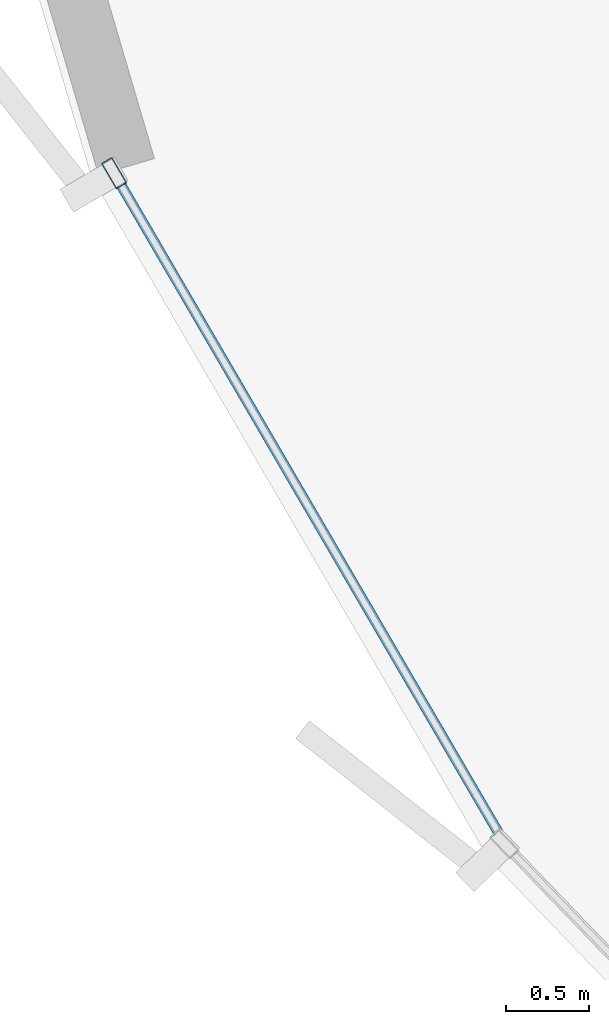
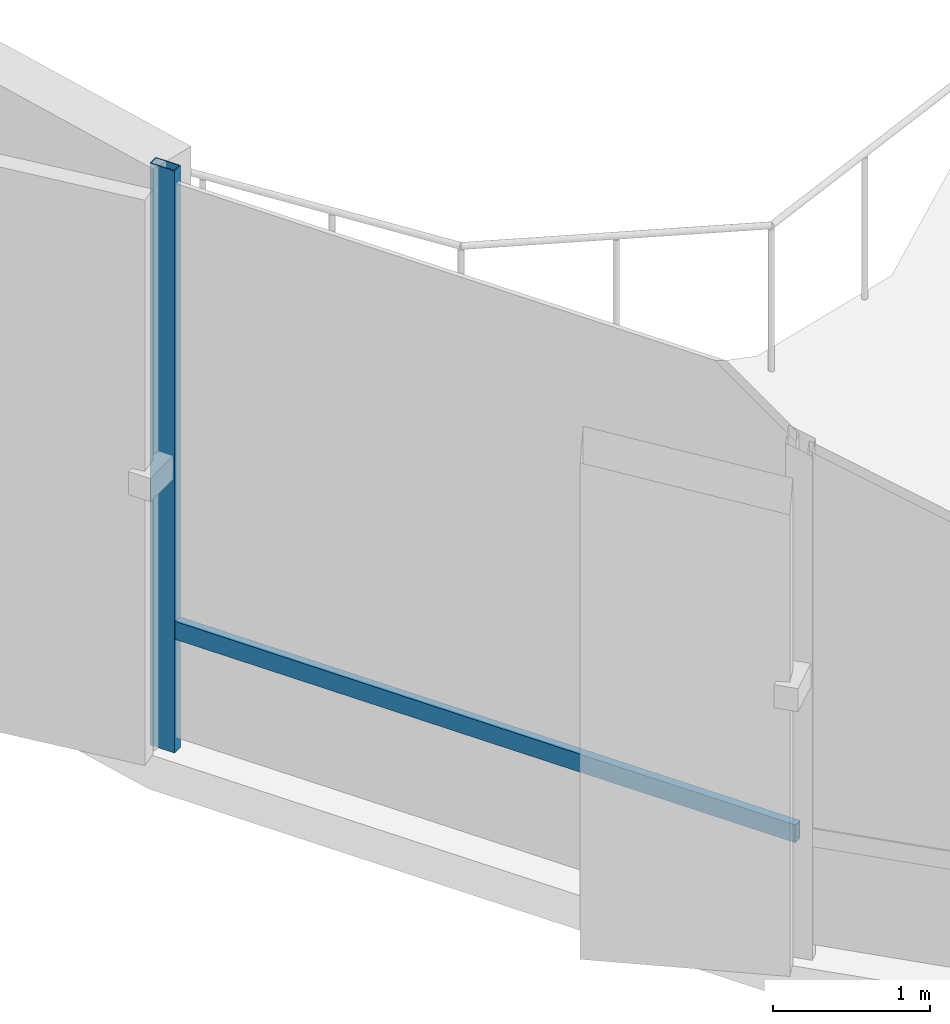
# One storey, part 3 of 34: 2 members, 1 element without a shape of its own.
"""IFC4 building model written with IfcOpenShell, lengths in metres."""

import ifcopenshell
import ifcopenshell.guid

model = None  # the IFC model being written
_history = None  # IfcOwnerHistory: only IFC2X3 demands one
_inside = {}  # id of a spatial element -> (the spatial element, [elements in it])
_under = {}  # id of a project, library or spatial element -> (it, [spatial elements below it])
_declared = {}  # id of a project -> (the project, [libraries it declares])
_typed = {}  # id of a type object -> (the type object, [elements of that type])
_made_of = {}  # id of a material, layer set ... -> (it, [elements and type objects made of it])


def new_model(schema):
    """Start an empty IFC model of exactly this schema.

    Asked for "IFC4X3", IfcOpenShell would pick the latest addendum, in which some entities
    have other attributes; the version numbers below select the first issue.
    IFC2X3 requires an IfcOwnerHistory on every rooted entity: one is made here for all.
    """
    global model, _history
    if schema == "IFC4X3":
        model = ifcopenshell.file(schema_version=(4, 3, 0, 0))
    else:
        model = ifcopenshell.file(schema=schema)
    _inside.clear()
    _under.clear()
    _declared.clear()
    _typed.clear()
    _made_of.clear()
    _history = None
    if model.schema == "IFC2X3":
        org = make("IfcOrganization", Name="unknown")
        user = make(
            "IfcPersonAndOrganization",
            ThePerson=make("IfcPerson", FamilyName="unknown"),
            TheOrganization=org,
        )
        app = make(
            "IfcApplication",
            ApplicationDeveloper=org,
            Version="unknown",
            ApplicationFullName="unknown",
            ApplicationIdentifier="unknown",
        )
        _history = make(
            "IfcOwnerHistory",
            OwningUser=user,
            OwningApplication=app,
            ChangeAction="ADDED",
            CreationDate=0,
        )
    return model


def make(cls, **values):
    """One entity of the class cls with the attributes given. An attribute that is None is left unset."""
    return model.create_entity(
        cls, **{name: value for name, value in values.items() if value is not None}
    )


def rooted(cls, **values):
    """An entity with a GlobalId (a new one), such as an element, a storey or a relation."""
    return make(cls, GlobalId=ifcopenshell.guid.new(), OwnerHistory=_history, **values)


def si_unit(unit_type, name, prefix=None):
    """IfcSIUnit, for example si_unit("LENGTHUNIT", "METRE", prefix="MILLI")."""
    return make("IfcSIUnit", UnitType=unit_type, Prefix=prefix, Name=name)


def assignment(units):
    """IfcUnitAssignment: the units of a project."""
    return None if units is None else make("IfcUnitAssignment", Units=units)


def point(xyz):
    """IfcCartesianPoint."""
    return None if xyz is None else make("IfcCartesianPoint", Coordinates=xyz)


def direction(xyz):
    """IfcDirection."""
    return None if xyz is None else make("IfcDirection", DirectionRatios=xyz)


def frame(location, z_axis=None, x_axis=None):
    """IfcAxis2Placement3D, a coordinate frame: its origin and axes. An axis left out is left unset."""
    return make(
        "IfcAxis2Placement3D",
        Location=point(location),
        Axis=direction(z_axis),
        RefDirection=direction(x_axis),
    )


def frame_2d(location, x_axis=None):
    """IfcAxis2Placement2D, a coordinate frame in the plane: its origin and x axis."""
    return make(
        "IfcAxis2Placement2D", Location=point(location), RefDirection=direction(x_axis)
    )


def origin():
    """The frame at (0, 0, 0) with its axes left unset."""
    return frame((0.0, 0.0, 0.0))


def origin_2d():
    """The frame at (0, 0) in the plane with its x axis left unset."""
    return frame_2d((0.0, 0.0))


def place(relative_to, where):
    """IfcLocalPlacement: puts the frame where relative to a parent placement (None: the world)."""
    return make(
        "IfcLocalPlacement", PlacementRelTo=relative_to, RelativePlacement=where
    )


def context(
    kind, dimensions, precision=None, world=None, true_north=None, identifier=None
):
    """IfcGeometricRepresentationContext, for example the 3D "Model" context."""
    return make(
        "IfcGeometricRepresentationContext",
        ContextIdentifier=identifier,
        ContextType=kind,
        CoordinateSpaceDimension=dimensions,
        Precision=precision,
        WorldCoordinateSystem=world,
        TrueNorth=true_north,
    )


def subcontext(parent, identifier, kind, view, scale=None):
    """IfcGeometricRepresentationSubContext, for example "Body" below "Model"."""
    return make(
        "IfcGeometricRepresentationSubContext",
        ContextIdentifier=identifier,
        ContextType=kind,
        ParentContext=parent,
        TargetScale=scale,
        TargetView=view,
    )


def project(units=None, contexts=None):
    """IfcProject with its units and contexts."""
    return rooted(
        "IfcProject",
        Name="project",
        RepresentationContexts=contexts,
        UnitsInContext=assignment(units),
    )


def spatial(cls, under=None, at=None, **own):
    """A site, building, storey or space (cls), placed at a placement, below another one or the project."""
    s = rooted(cls, ObjectPlacement=at, **own)
    if under is not None:
        _under.setdefault(under.id(), (under, []))[1].append(s)
    return s


def profile(cls, at=None, kind="AREA", **sizes):
    """A parametric profile (cls). Its sizes go by their IFC names, for example OverallWidth=200.0."""
    return make(cls, ProfileType=kind, Position=at, **sizes)


def hollow_rectangle(**sizes):
    """IfcRectangleHollowProfileDef."""
    return profile("IfcRectangleHollowProfileDef", **sizes)


def extrude(swept, where, along, depth):
    """IfcExtrudedAreaSolid: the profile swept, set in the frame where, extruded along a direction by depth."""
    return make(
        "IfcExtrudedAreaSolid",
        SweptArea=swept,
        Position=where,
        ExtrudedDirection=direction(along),
        Depth=depth,
    )


def shape(context_of_items, identifier, shape_type, items):
    """IfcShapeRepresentation: the items that make up one representation, for example the "Body"."""
    return make(
        "IfcShapeRepresentation",
        ContextOfItems=context_of_items,
        RepresentationIdentifier=identifier,
        RepresentationType=shape_type,
        Items=items,
    )


def source(mapping_origin, context_of_items, identifier, shape_type, items):
    """IfcRepresentationMap: a shape defined once, which mapped items show again and again."""
    return make(
        "IfcRepresentationMap",
        MappingOrigin=mapping_origin,
        MappedRepresentation=shape(context_of_items, identifier, shape_type, items),
    )


def transform(
    local_origin,
    x_axis=None,
    y_axis=None,
    z_axis=None,
    scale=None,
    scale2=None,
    scale3=None,
    uniform=True,
):
    """IfcCartesianTransformationOperator3D, or its non-uniform kind. x_axis, y_axis, z_axis: its Axis1, 2, 3."""
    if uniform:
        return make(
            "IfcCartesianTransformationOperator3D",
            Axis1=direction(x_axis),
            Axis2=direction(y_axis),
            LocalOrigin=point(local_origin),
            Scale=scale,
            Axis3=direction(z_axis),
        )
    return make(
        "IfcCartesianTransformationOperator3DnonUniform",
        Axis1=direction(x_axis),
        Axis2=direction(y_axis),
        LocalOrigin=point(local_origin),
        Scale=scale,
        Axis3=direction(z_axis),
        Scale2=scale2,
        Scale3=scale3,
    )


def mapped(mapping_source, mapping_target):
    """IfcMappedItem: shows the shape of a source again, moved by a transform."""
    return make(
        "IfcMappedItem", MappingSource=mapping_source, MappingTarget=mapping_target
    )


def material(Name=None, Category=None):
    """IfcMaterial."""
    return make("IfcMaterial", Name=Name, Category=Category)


def layer(
    of_material, thickness, ventilated=None, Name=None, Category=None, Priority=None
):
    """IfcMaterialLayer: one layer of a wall or slab, of a material (None: an air gap)."""
    return make(
        "IfcMaterialLayer",
        Material=of_material,
        LayerThickness=thickness,
        IsVentilated=ventilated,
        Name=Name,
        Category=Category,
        Priority=Priority,
    )


def layer_set(layers, Name=None):
    """IfcMaterialLayerSet."""
    return make("IfcMaterialLayerSet", MaterialLayers=layers, LayerSetName=Name)


def material_profile(
    of_material, cross_section, Name=None, Category=None, Priority=None
):
    """IfcMaterialProfile: a cross section and its material."""
    return make(
        "IfcMaterialProfile",
        Name=Name,
        Material=of_material,
        Profile=cross_section,
        Priority=Priority,
        Category=Category,
    )


def profile_set(profiles, Name=None, composite=None):
    """IfcMaterialProfileSet."""
    return make(
        "IfcMaterialProfileSet",
        Name=Name,
        MaterialProfiles=profiles,
        CompositeProfile=composite,
    )


def made_of(thing, what):
    """Note that an element or type object is made of a material, layer set ...; save() writes the relation."""
    if what is not None:
        _made_of.setdefault(what.id(), (what, []))[1].append(thing)
    return thing


def type_object(cls, material=None, **own):
    """A type object (cls), such as IfcWallType, which elements share."""
    return made_of(rooted(cls, **own), material)


def element(
    cls,
    number,
    at=None,
    inside=None,
    cuts=None,
    type_object=None,
    material=None,
    context=None,
    identifier="Body",
    shape_type=None,
    held_by="IfcProductDefinitionShape",
    body=None,
    shapes=None,
    **own,
):
    """One element of the class cls, such as IfcWall. Its Tag is "e" and its number.

    at: its placement. inside: the storey or other place that contains it. cuts: it is an
    opening in that element (IfcRelVoidsElement). A single representation is given by context,
    identifier, shape_type and body (its items); several are given by shapes. held_by: the class
    of the entity that holds the representations. save() writes the other relations.
    """
    e = rooted(cls, Tag="e%d" % number, ObjectPlacement=at, **own)
    if body is not None:
        shapes = [shape(context, identifier, shape_type, body)]
    if shapes is not None:
        e.Representation = make(held_by, Representations=shapes)
    if inside is not None:
        _inside.setdefault(inside.id(), (inside, []))[1].append(e)
    if cuts is not None:
        rooted(
            "IfcRelVoidsElement", RelatingBuildingElement=cuts, RelatedOpeningElement=e
        )
    if type_object is not None:
        _typed.setdefault(type_object.id(), (type_object, []))[1].append(e)
    return made_of(e, material)


def aggregate(whole, parts):
    """IfcRelAggregates: a whole, such as a stair, and the parts it consists of."""
    return rooted("IfcRelAggregates", RelatingObject=whole, RelatedObjects=parts)


def save(model, path):
    """Write the relations noted so far, then the file.

    IfcRelAggregates (storeys below a building ...), IfcRelContainedInSpatialStructure (elements
    in a storey), IfcRelDefinesByType, IfcRelAssociatesMaterial and IfcRelDeclares: one each for
    every whole, place, type object, material and project.
    """
    for whole, parts in _under.values():
        aggregate(whole, parts)
    for where, things in _inside.values():
        rooted(
            "IfcRelContainedInSpatialStructure",
            RelatedElements=things,
            RelatingStructure=where,
        )
    for kind, things in _typed.values():
        rooted("IfcRelDefinesByType", RelatedObjects=things, RelatingType=kind)
    for what, things in _made_of.values():
        rooted("IfcRelAssociatesMaterial", RelatedObjects=things, RelatingMaterial=what)
    for by, libraries in _declared.values():
        rooted("IfcRelDeclares", RelatingContext=by, RelatedDefinitions=libraries)
    model.write(path)


model = new_model("IFC4")

# Units and contexts
model_context = context("Model", 3, precision=1e-05, world=origin(), true_north=direction((0.0, 1.0)))
body_context = subcontext(model_context, "Body", "Model", "MODEL_VIEW")
ifc_project = project(units=[si_unit("LENGTHUNIT", "METRE"), si_unit("AREAUNIT", "SQUARE_METRE"), si_unit("VOLUMEUNIT", "CUBIC_METRE"), si_unit("PLANEANGLEUNIT", "RADIAN"), si_unit("MASSUNIT", "GRAM", prefix="KILO"), si_unit("THERMODYNAMICTEMPERATUREUNIT", "KELVIN")], contexts=[model_context])

# Site, building, storey
site_placement = place(None, origin())
site = spatial("IfcSite", under=ifc_project, at=site_placement, CompositionType="ELEMENT")
building_placement = place(site_placement, origin())
building = spatial("IfcBuilding", under=site, at=building_placement, Name="Kethvar Cultural Tower", CompositionType="ELEMENT")
storey_placement = place(building_placement, frame((0.0, 0.0, 14.800048828125)))
storey = spatial("IfcBuildingStorey", under=building, at=storey_placement, Name="L03", CompositionType="ELEMENT", Elevation=14.800048828125)

# Curtain wall, members
ifc_material = material(Name="Aluminium 6063-T6", Category="aluminium")
ifc_layer = layer(ifc_material, 0.179931640625, Name="Aluminium 6063-T6", Category="aluminium")
ifc_layer_set = layer_set([ifc_layer], Name="Aluminium 6063-T6 (180 mm)")
curtain_wall_type = type_object("IfcCurtainWallType", Name="CW-SYS-01-POD", PredefinedType="NOTDEFINED", material=ifc_layer_set)
curtain_wall_placement = place(storey_placement, origin())
curtain_wall = element("IfcCurtainWall", 1, at=curtain_wall_placement, inside=storey, type_object=curtain_wall_type, Name="L03 Curtain Wall Run 04", PredefinedType="NOTDEFINED")
ifc_material_profile_1 = material_profile(ifc_material, hollow_rectangle(XDim=0.06005859375, YDim=0.139892578125, WallThickness=0.0048828125, at=origin_2d()), Name="Aluminium 6063-T6 — RHS140x60x5")
ifc_profile_set_1 = profile_set([ifc_material_profile_1], Name="Aluminium 6063-T6 — RHS140x60x5")
member_type_1 = type_object("IfcMemberType", Name="CW-SYS-01-POD-TRN", PredefinedType="USERDEFINED", material=ifc_profile_set_1)
shared_shape_1 = source(origin(), body_context, "Body", "SweptSolid", [
    extrude(hollow_rectangle(XDim=0.06005859375, YDim=0.139892578125, WallThickness=0.0048828125, at=origin_2d()), origin(), (0.0, 0.0, 1.0), 4.639892578125),
])
member_1_placement = place(storey_placement, frame((2.864501953125, 15.72705078125, 0.949951171875), z_axis=(0.503504560489, -0.863992568004, 0.0), x_axis=(0.863992568004, 0.503504560489, 0.0)))
member_1 = element("IfcMember", 2, at=member_1_placement, type_object=member_type_1, Name="CW-L03-R04 Transom 1", ObjectType="TRANSOM", PredefinedType="USERDEFINED", context=body_context, shape_type="MappedRepresentation", body=[
    mapped(shared_shape_1, transform((0.0, 0.0, 0.0), scale=1.0)),
])
ifc_material_profile_2 = material_profile(ifc_material, hollow_rectangle(XDim=0.074951171875, YDim=0.179931640625, WallThickness=0.006103515625, at=origin_2d()), Name="Aluminium 6063-T6 — RHS180x75x6")
ifc_profile_set_2 = profile_set([ifc_material_profile_2], Name="Aluminium 6063-T6 — RHS180x75x6")
member_type_2 = type_object("IfcMemberType", Name="CW-SYS-01-POD-MUL", PredefinedType="MULLION", material=ifc_profile_set_2)
shared_shape_2 = source(origin(), body_context, "Body", "SweptSolid", [
    extrude(hollow_rectangle(XDim=0.074951171875, YDim=0.179931640625, WallThickness=0.006103515625, at=origin_2d()), origin(), (0.0, 0.0, 1.0), 4.530029296875),
])
member_2_placement = place(storey_placement, frame((2.86181640625, 15.731689453125, 0.0), z_axis=(0.0, 0.0, 1.0), x_axis=(0.863984939927, 0.503517649721, 0.0)))
member_2 = element("IfcMember", 3, at=member_2_placement, type_object=member_type_2, Name="CW-L03-R04 Mullion 1", PredefinedType="MULLION", context=body_context, shape_type="MappedRepresentation", body=[
    mapped(shared_shape_2, transform((0.0, 0.0, 0.0), scale=1.0)),
])
aggregate(curtain_wall, [member_2, member_1])

save(model, "model.ifc")
